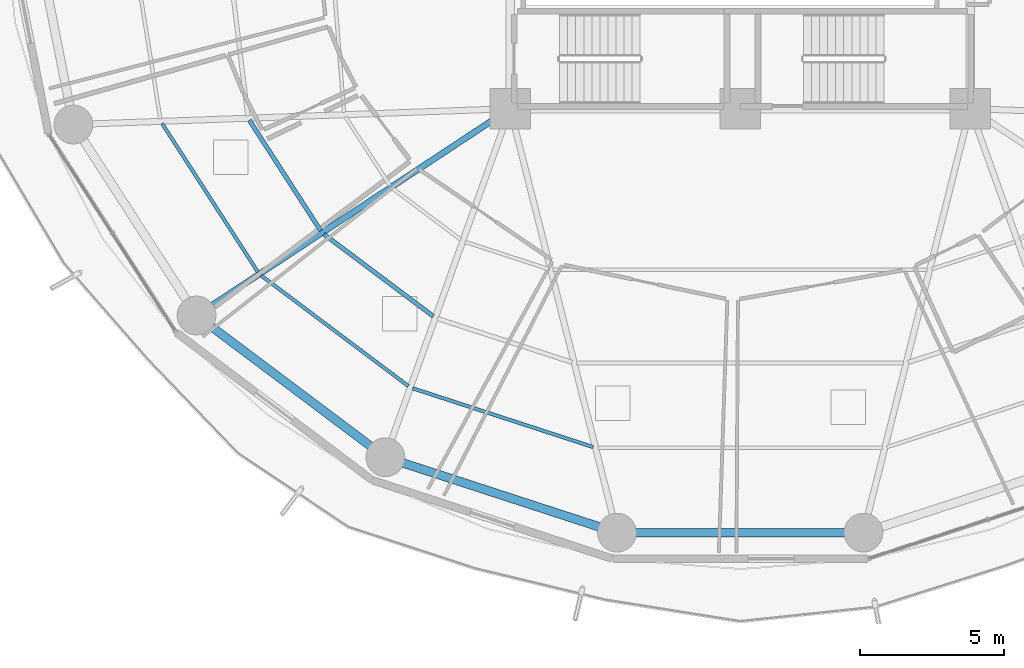
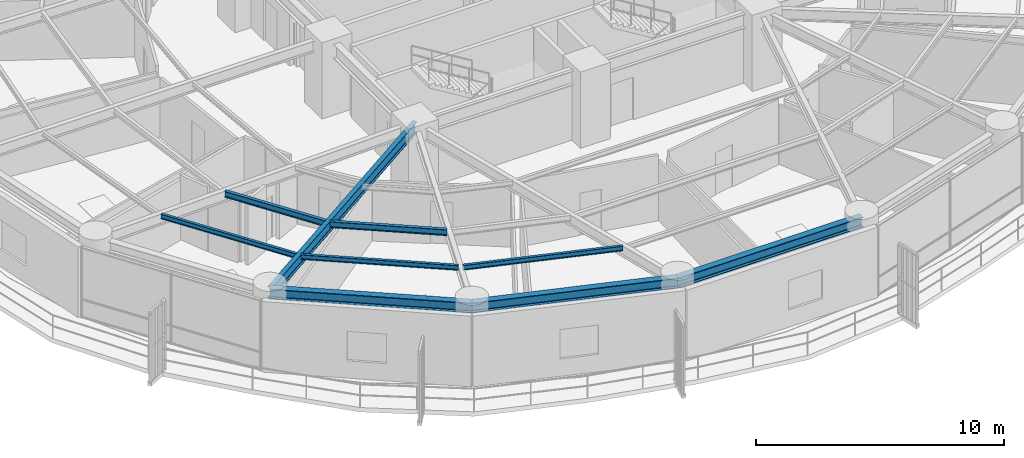
# One storey, part 3 of 36: 9 beams.
"""IFC4 building model written with IfcOpenShell, lengths in metres."""

from ifc_helpers import new_model, si_unit, direction, frame, origin, origin_2d, place, context, subcontext, project, spatial, i_section, extrude, material, material_profile, profile_set, type_object, element, save


model = new_model("IFC4")

# Units and contexts
model_context = context("Model", 3, precision=1e-05, world=origin(), true_north=direction((0.0, 1.0)))
body_context = subcontext(model_context, "Body", "Model", "MODEL_VIEW")
ifc_project = project(units=[si_unit("LENGTHUNIT", "METRE"), si_unit("AREAUNIT", "SQUARE_METRE"), si_unit("VOLUMEUNIT", "CUBIC_METRE"), si_unit("PLANEANGLEUNIT", "RADIAN"), si_unit("MASSUNIT", "GRAM", prefix="KILO")], contexts=[model_context])

# Site, building, storey
site_placement = place(None, origin())
site = spatial("IfcSite", under=ifc_project, at=site_placement, CompositionType="ELEMENT")
building_placement = place(site_placement, origin())
building = spatial("IfcBuilding", under=site, at=building_placement, Name="Kelanora Arch Commons", CompositionType="ELEMENT")
storey_placement = place(building_placement, frame((0.0, 0.0, 98.85009765625)))
storey = spatial("IfcBuildingStorey", under=building, at=storey_placement, Name="L25", CompositionType="ELEMENT", Elevation=98.85009765625)

# Beams
ifc_material = material(Name="Steel S355", Category="steel")
ifc_material_profile_1 = material_profile(ifc_material, i_section(OverallWidth=0.14990234375, OverallDepth=0.300048828125, WebThickness=0.007080078125, FlangeThickness=0.0107421875, FilletRadius=0.014892578125, at=origin_2d()), Name="IPE300")
ifc_profile_set_1 = profile_set([ifc_material_profile_1], Name="Steel S355")
beam_type_1 = type_object("IfcBeamType", Name="BM-JST-01", PredefinedType="JOIST", material=ifc_profile_set_1)
beam_1_placement = place(storey_placement, frame((56.93115234375, 50.597412109375, 3.33984375), z_axis=(0.542230243286, -0.840229946661, 0.0), x_axis=(0.840229946661, 0.542230243286, 0.0)))
element("IfcBeam", 1, at=beam_1_placement, inside=storey, type_object=beam_type_1, Name="Secondary Chord Joist BJB-20 L25", PredefinedType="JOIST", context=body_context, shape_type="SweptSolid", body=[
    extrude(i_section(OverallWidth=0.14990234375, OverallDepth=0.300048828125, WebThickness=0.007080078125, FlangeThickness=0.0107421875, FilletRadius=0.014892578125, at=origin_2d()), origin(), (0.0, 0.0, 1.0), 4.572265625),
])
beam_2_placement = place(storey_placement, frame((59.5244140625, 46.63330078125, 3.33984375), z_axis=(0.79971039107, -0.600385951214, 0.0), x_axis=(0.600385951214, 0.79971039107, 0.0)))
element("IfcBeam", 2, at=beam_2_placement, inside=storey, type_object=beam_type_1, Name="Secondary Chord Joist BJB-22 L25", PredefinedType="JOIST", context=body_context, shape_type="SweptSolid", body=[
    extrude(i_section(OverallWidth=0.14990234375, OverallDepth=0.300048828125, WebThickness=0.007080078125, FlangeThickness=0.0107421875, FilletRadius=0.014892578125, at=origin_2d()), origin(), (0.0, 0.0, 1.0), 4.756103515625),
])
ifc_material_profile_2 = material_profile(ifc_material, i_section(OverallWidth=0.1201171875, OverallDepth=0.239990234375, WebThickness=0.006103515625, FlangeThickness=0.009765625, FilletRadius=0.014892578125, at=origin_2d()), Name="IPE240")
ifc_profile_set_2 = profile_set([ifc_material_profile_2], Name="Steel S355")
beam_type_2 = type_object("IfcBeamType", Name="BM-JST-02", PredefinedType="JOIST", material=ifc_profile_set_2)
beam_3_placement = place(storey_placement, frame((53.892822265625, 50.487060546875, 3.369873046875), z_axis=(0.542212726273, -0.840241250754, 0.0), x_axis=(0.840241250754, 0.542212726273, 0.0)))
element("IfcBeam", 3, at=beam_3_placement, inside=storey, type_object=beam_type_2, Name="Secondary Chord Joist BJC-20 L25", PredefinedType="JOIST", context=body_context, shape_type="SweptSolid", body=[
    extrude(i_section(OverallWidth=0.1201171875, OverallDepth=0.239990234375, WebThickness=0.006103515625, FlangeThickness=0.009765625, FilletRadius=0.014892578125, at=origin_2d()), origin(), (0.0, 0.0, 1.0), 6.15283203125),
])
beam_4_placement = place(storey_placement, frame((57.34326171875, 45.194580078125, 3.369873046875), z_axis=(0.799734335646, -0.600354055861, 0.0), x_axis=(0.600354055861, 0.799734335646, 0.0)))
element("IfcBeam", 4, at=beam_4_placement, inside=storey, type_object=beam_type_2, Name="Secondary Chord Joist BJC-22 L25", PredefinedType="JOIST", context=body_context, shape_type="SweptSolid", body=[
    extrude(i_section(OverallWidth=0.1201171875, OverallDepth=0.239990234375, WebThickness=0.006103515625, FlangeThickness=0.009765625, FilletRadius=0.014892578125, at=origin_2d()), origin(), (0.0, 0.0, 1.0), 6.39794921875),
])
beam_5_placement = place(storey_placement, frame((62.60888671875, 41.276123046875, 3.369873046875), z_axis=(0.950862829272, -0.309612467301, 0.0), x_axis=(0.309612467301, 0.950862829272, 0.0)))
element("IfcBeam", 5, at=beam_5_placement, inside=storey, type_object=beam_type_2, Name="Secondary Chord Joist BJC-24 L25", PredefinedType="JOIST", context=body_context, shape_type="SweptSolid", body=[
    extrude(i_section(OverallWidth=0.1201171875, OverallDepth=0.239990234375, WebThickness=0.006103515625, FlangeThickness=0.009765625, FilletRadius=0.014892578125, at=origin_2d()), origin(), (0.0, 0.0, 1.0), 6.6064453125),
])
ifc_material_profile_3 = material_profile(ifc_material, i_section(OverallWidth=0.2099609375, OverallDepth=0.550048828125, WebThickness=0.010986328125, FlangeThickness=0.01708984375, FilletRadius=0.02392578125, at=origin_2d()), Name="IPE550")
ifc_profile_set_3 = profile_set([ifc_material_profile_3], Name="Steel S355")
beam_type_3 = type_object("IfcBeamType", Name="BM-RAD-Z2", PredefinedType="BEAM", material=ifc_profile_set_3)
beam_6_placement = place(storey_placement, frame((66.0, 51.0, 3.21484375), z_axis=(-0.834788577908, -0.550570640512, 0.0), x_axis=(0.550570640512, -0.834788577908, 0.0)))
element("IfcBeam", 6, at=beam_6_placement, inside=storey, type_object=beam_type_3, Name="Radial Floor Girder BR-22 L25", PredefinedType="BEAM", context=body_context, shape_type="SweptSolid", body=[
    extrude(i_section(OverallWidth=0.2099609375, OverallDepth=0.550048828125, WebThickness=0.010986328125, FlangeThickness=0.01708984375, FilletRadius=0.02392578125, at=origin_2d()), origin(), (0.0, 0.0, 1.0), 13.064453125),
])
ifc_material_profile_4 = material_profile(ifc_material, i_section(OverallWidth=0.300048828125, OverallDepth=0.5, WebThickness=0.014404296875, FlangeThickness=0.028076171875, FilletRadius=0.027099609375, at=origin_2d()), Name="HEB500")
ifc_profile_set_4 = profile_set([ifc_material_profile_4], Name="Steel S355")
beam_type_4 = type_object("IfcBeamType", Name="BM-SPN-Z2", PredefinedType="SPANDREL", material=ifc_profile_set_4)
beam_7_placement = place(storey_placement, frame((55.093994140625, 43.80712890625, 3.239990234375), z_axis=(0.799735861602, -0.600352023123, 0.0), x_axis=(0.600352023123, 0.799735861602, 0.0)))
element("IfcBeam", 7, at=beam_7_placement, inside=storey, type_object=beam_type_4, Name="Perimeter Spandrel Beam BS-22 L25", PredefinedType="SPANDREL", context=body_context, shape_type="SweptSolid", body=[
    extrude(i_section(OverallWidth=0.300048828125, OverallDepth=0.5, WebThickness=0.014404296875, FlangeThickness=0.028076171875, FilletRadius=0.027099609375, at=origin_2d()), origin(), (0.0, 0.0, 1.0), 8.210205078125),
])
beam_8_placement = place(storey_placement, frame((61.659912109375, 38.878173828125, 3.239990234375), z_axis=(0.950856631974, -0.309631499418, 0.0), x_axis=(0.309631499418, 0.950856631974, 0.0)))
element("IfcBeam", 8, at=beam_8_placement, inside=storey, type_object=beam_type_4, Name="Perimeter Spandrel Beam BS-24 L25", PredefinedType="SPANDREL", context=body_context, shape_type="SweptSolid", body=[
    extrude(i_section(OverallWidth=0.300048828125, OverallDepth=0.5, WebThickness=0.014404296875, FlangeThickness=0.028076171875, FilletRadius=0.027099609375, at=origin_2d()), origin(), (0.0, 0.0, 1.0), 8.470703125),
])
beam_9_placement = place(storey_placement, frame((69.71435546875, 36.25537109375, 3.239990234375), z_axis=(1.0, 0.0, 0.0), x_axis=(0.0, 1.0, 0.0)))
element("IfcBeam", 9, at=beam_9_placement, inside=storey, type_object=beam_type_4, Name="Perimeter Spandrel Beam BS-26 L25", PredefinedType="SPANDREL", context=body_context, shape_type="SweptSolid", body=[
    extrude(i_section(OverallWidth=0.300048828125, OverallDepth=0.5, WebThickness=0.014404296875, FlangeThickness=0.028076171875, FilletRadius=0.027099609375, at=origin_2d()), origin(), (0.0, 0.0, 1.0), 8.5712890625),
])

save(model, "model.ifc")
